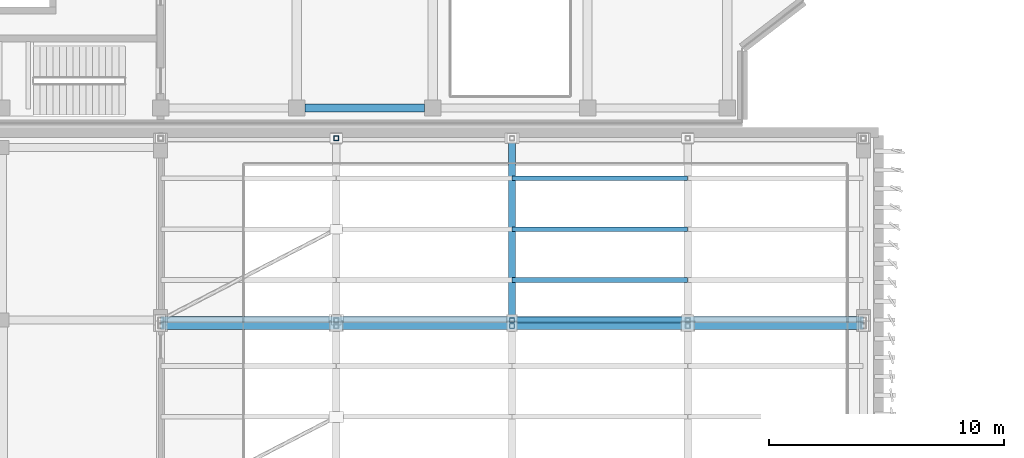
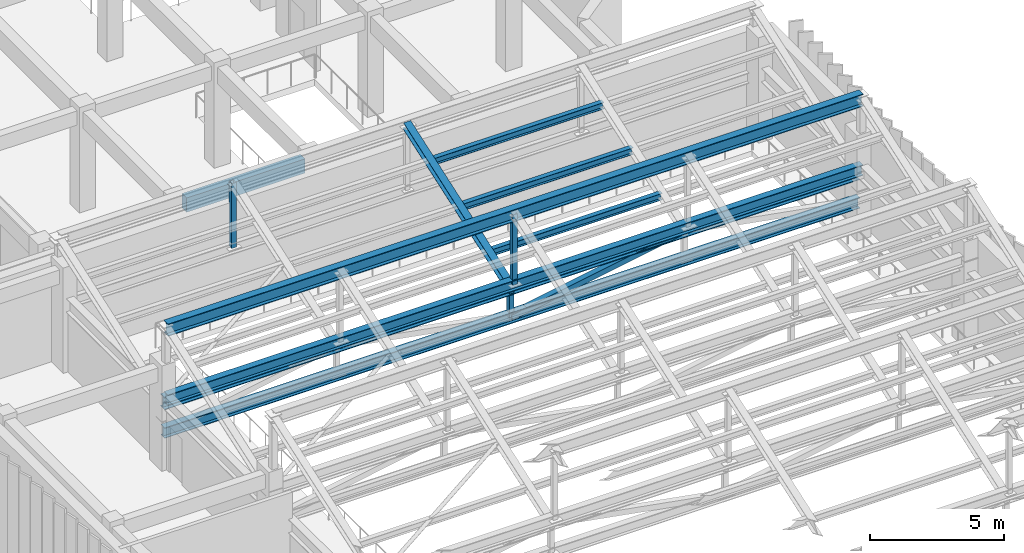
# One storey, part 13 of 76: 12 members, 1 beam.
"""IFC4 building model written with IfcOpenShell, lengths in metres."""

from ifc_helpers import new_model, si_unit, direction, frame, origin, origin_2d, place, context, subcontext, project, spatial, rectangle, hollow_rectangle, i_section, extrude, material, material_profile, profile_set, type_object, element, save


model = new_model("IFC4")

# Units and contexts
model_context = context("Model", 3, precision=1e-05, world=origin(), true_north=direction((0.0, 1.0)))
body_context = subcontext(model_context, "Body", "Model", "MODEL_VIEW")
ifc_project = project(units=[si_unit("LENGTHUNIT", "METRE"), si_unit("AREAUNIT", "SQUARE_METRE"), si_unit("VOLUMEUNIT", "CUBIC_METRE"), si_unit("PLANEANGLEUNIT", "RADIAN"), si_unit("MASSUNIT", "GRAM", prefix="KILO")], contexts=[model_context])

# Site, building, storey
site_placement = place(None, origin())
site = spatial("IfcSite", under=ifc_project, at=site_placement, CompositionType="ELEMENT")
building_placement = place(site_placement, origin())
building = spatial("IfcBuilding", under=site, at=building_placement, Name="Cinchona Park Media Centre", CompositionType="ELEMENT")
storey_placement = place(building_placement, frame((0.0, 0.0, 15.60009765625)))
storey = spatial("IfcBuildingStorey", under=building, at=storey_placement, Name="L03", CompositionType="ELEMENT", Elevation=15.60009765625)

# Beam
ifc_material_1 = material(Name="Concrete C35/45", Category="concrete")
ifc_material_profile_1 = material_profile(ifc_material_1, rectangle(XDim=0.35009765625, YDim=0.64990234375, at=origin_2d()), Name="RB 350X650")
ifc_profile_set_1 = profile_set([ifc_material_profile_1], Name="Concrete C35/45")
beam_type = type_object("IfcBeamType", Name="BEAM-B04-RB350X650", PredefinedType="BEAM", material=ifc_profile_set_1)
beam_placement = place(storey_placement, frame((21.550048828125, 64.639892578125, 4.224853515625), z_axis=(1.0, 0.0, 0.0), x_axis=(0.0, 1.0, 0.0)))
element("IfcBeam", 1, at=beam_placement, inside=storey, type_object=beam_type, Name="Beam B04 L03", PredefinedType="BEAM", context=body_context, shape_type="SweptSolid", body=[
    extrude(rectangle(XDim=0.35009765625, YDim=0.64990234375, at=origin_2d()), origin(), (0.0, 0.0, 1.0), 5.099853515625),
])

# Members
ifc_material_2 = material(Name="Steel S355", Category="steel")
ifc_material_profile_2 = material_profile(ifc_material_2, i_section(OverallWidth=0.202880859375, OverallDepth=0.302978515625, WebThickness=0.007568359375, FlangeThickness=0.01318359375, at=origin_2d()), Name="W310X60")
ifc_profile_set_2 = profile_set([ifc_material_profile_2], Name="Steel S355")
member_type_1 = type_object("IfcMemberType", Name="MEMBER-PR01-W310X60", PredefinedType="PURLIN", material=ifc_profile_set_2)
for number, where, z_axis, x_axis, name in (
    (2, (30.389892578125, 57.304931640625, 3.3125), (1.0, 0.0, 0.0), (0.0, 1.0, 0.0), "Sawtooth Roof Purlin PR01"),
    (3, (30.389892578125, 59.47509765625, 4.068359375), (1.0, 0.0, 0.0), (0.0, 1.0, 0.0), "Sawtooth Roof Purlin PR01"),
    (4, (30.389892578125, 61.64501953125, 4.824462890625), (1.0, 0.0, 0.0), (0.0, 1.0, 0.0), "Sawtooth Roof Purlin PR01"),
):
    element("IfcMember", number, at=place(storey_placement, frame(where, z_axis=z_axis, x_axis=x_axis)), inside=storey, type_object=member_type_1, Name=name, PredefinedType="PURLIN", context=body_context, shape_type="SweptSolid", body=[
        extrude(i_section(OverallWidth=0.202880859375, OverallDepth=0.302978515625, WebThickness=0.007568359375, FlangeThickness=0.01318359375, at=origin_2d()), origin(), (0.0, 0.0, 1.0), 7.47021484375),
    ])
ifc_material_3 = material(Name="Steel S355", Category="steel")
ifc_material_profile_3 = material_profile(ifc_material_3, i_section(OverallWidth=0.318115234375, OverallDepth=0.56005859375, WebThickness=0.018310546875, FlangeThickness=0.029296875, at=origin_2d()), Name="W530X219")
ifc_profile_set_3 = profile_set([ifc_material_profile_3], Name="Steel S355")
member_type_2 = type_object("IfcMemberType", Name="MEMBER-TC01-W530X219", PredefinedType="CHORD", material=ifc_profile_set_3)
for number, where, z_axis, x_axis, name in (
    (5, (15.39990234375, 55.35009765625, 6.2998046875), (1.0, 0.0, 0.0), (0.0, 1.0, 0.0), "ROOF TRUSS Ridge Chord V1 Bay 6"),
    (6, (15.39990234375, 55.60009765625, 2.7998046875), (1.0, 0.0, 0.0), (0.0, 1.0, 0.0), "ROOF TRUSS Top Chord V1 B7"),
):
    element("IfcMember", number, at=place(storey_placement, frame(where, z_axis=z_axis, x_axis=x_axis)), inside=storey, type_object=member_type_2, Name=name, PredefinedType="CHORD", context=body_context, shape_type="SweptSolid", body=[
        extrude(i_section(OverallWidth=0.318115234375, OverallDepth=0.56005859375, WebThickness=0.018310546875, FlangeThickness=0.029296875, at=origin_2d()), origin(), (0.0, 0.0, 1.0), 29.960205078125),
    ])
ifc_material_4 = material(Name="Steel S355", Category="steel")
ifc_material_profile_4 = material_profile(ifc_material_4, i_section(OverallWidth=0.285888671875, OverallDepth=0.48193359375, WebThickness=0.0166015625, FlangeThickness=0.02685546875, at=origin_2d()), Name="W460X177")
ifc_profile_set_4 = profile_set([ifc_material_profile_4], Name="Steel S355")
member_type_3 = type_object("IfcMemberType", Name="MEMBER-TC02-W460X177", PredefinedType="CHORD", material=ifc_profile_set_4)
for number, where, z_axis, x_axis, name in (
    (7, (15.39990234375, 55.35009765625, 3.099853515625), (1.0, 0.0, 0.0), (0.0, 1.0, 0.0), "ROOF TRUSS Monitor Sill Chord V1 Bay 6"),
    (8, (15.39990234375, 55.60009765625, 1.449951171875), (1.0, 0.0, 0.0), (0.0, 1.0, 0.0), "ROOF TRUSS Bottom Chord V1 B7"),
):
    element("IfcMember", number, at=place(storey_placement, frame(where, z_axis=z_axis, x_axis=x_axis)), inside=storey, type_object=member_type_3, Name=name, PredefinedType="CHORD", context=body_context, shape_type="SweptSolid", body=[
        extrude(i_section(OverallWidth=0.285888671875, OverallDepth=0.48193359375, WebThickness=0.0166015625, FlangeThickness=0.02685546875, at=origin_2d()), origin(), (0.0, 0.0, 1.0), 29.960205078125),
    ])
ifc_material_5 = material(Name="Steel S355", Category="steel")
ifc_material_profile_5 = material_profile(ifc_material_5, hollow_rectangle(XDim=0.199951171875, YDim=0.199951171875, WallThickness=0.012451171875, at=origin_2d()), Name="200X200X12.5SHS")
ifc_profile_set_5 = profile_set([ifc_material_profile_5], Name="Steel S355")
member_type_4 = type_object("IfcMemberType", Name="MEMBER-TS01-SHS200X200X12.5", PredefinedType="STRUT", material=ifc_profile_set_5)
member_1_placement = place(storey_placement, frame((30.3798828125, 55.35009765625, 3.099853515625), z_axis=(0.0, 0.0, 1.0), x_axis=(1.0, 0.0, 0.0)))
element("IfcMember", 9, at=member_1_placement, inside=storey, type_object=member_type_4, Name="ROOF TRUSS Monitor Post V1 Bay 6", PredefinedType="STRUT", context=body_context, shape_type="SweptSolid", body=[
    extrude(hollow_rectangle(XDim=0.199951171875, YDim=0.199951171875, WallThickness=0.012451171875, at=origin_2d()), origin(), (0.0, 0.0, 1.0), 3.199951171875),
])
member_2_placement = place(storey_placement, frame((30.3798828125, 55.60009765625, 1.449951171875), z_axis=(0.0, 0.0, 1.0), x_axis=(1.0, 0.0, 0.0)))
element("IfcMember", 10, at=member_2_placement, inside=storey, type_object=member_type_4, Name="ROOF TRUSS Vertical Strut TN2", PredefinedType="STRUT", context=body_context, shape_type="SweptSolid", body=[
    extrude(hollow_rectangle(XDim=0.199951171875, YDim=0.199951171875, WallThickness=0.012451171875, at=origin_2d()), origin(), (0.0, 0.0, 1.0), 1.349853515625),
])
member_3_placement = place(storey_placement, frame((22.889892578125, 63.35009765625, 2.5498046875), z_axis=(0.0, 0.0, 1.0), x_axis=(1.0, 0.0, 0.0)))
element("IfcMember", 11, at=member_3_placement, inside=storey, type_object=member_type_4, Name="ROOF TRUSS Monitor Post V1 Bay 7", PredefinedType="STRUT", context=body_context, shape_type="SweptSolid", body=[
    extrude(hollow_rectangle(XDim=0.199951171875, YDim=0.199951171875, WallThickness=0.012451171875, at=origin_2d()), origin(), (0.0, 0.0, 1.0), 2.9501953125),
])
ifc_material_6 = material(Name="Steel S355", Category="steel")
ifc_material_profile_6 = material_profile(ifc_material_6, hollow_rectangle(XDim=0.25, YDim=0.25, WallThickness=0.01611328125, at=origin_2d()), Name="250X250X16SHS")
ifc_profile_set_6 = profile_set([ifc_material_profile_6], Name="Steel S355")
member_type_5 = type_object("IfcMemberType", Name="MEMBER-TS02-SHS250X250X16", PredefinedType="STRUT", material=ifc_profile_set_6)
member_4_placement = place(storey_placement, frame((30.3798828125, 55.60009765625, 1.449951171875), z_axis=(0.984146390166, 0.0, 0.177358063599), x_axis=(0.0, 1.0, 0.0)))
element("IfcMember", 12, at=member_4_placement, inside=storey, type_object=member_type_5, Name="ROOF TRUSS Web Diagonal TN3", PredefinedType="STRUT", context=body_context, shape_type="SweptSolid", body=[
    extrude(hollow_rectangle(XDim=0.25, YDim=0.25, WallThickness=0.01611328125, at=origin_2d()), origin(), (0.0, 0.0, 1.0), 7.61083984375),
])
ifc_material_7 = material(Name="Steel S355", Category="steel")
ifc_material_profile_7 = material_profile(ifc_material_7, i_section(OverallWidth=0.304931640625, OverallDepth=0.30810546875, WebThickness=0.010009765625, FlangeThickness=0.015380859375, at=origin_2d()), Name="W310X97")
ifc_profile_set_7 = profile_set([ifc_material_profile_7], Name="Steel S355")
member_type_6 = type_object("IfcMemberType", Name="MEMBER-TS06-W310X97", PredefinedType="STRUT", material=ifc_profile_set_7)
member_5_placement = place(storey_placement, frame((30.3798828125, 55.60009765625, 2.7998046875), z_axis=(0.0, 0.944324900954, 0.329014409165), x_axis=(-1.0, 0.0, 0.0)))
element("IfcMember", 13, at=member_5_placement, inside=storey, type_object=member_type_6, Name="ROOF TRUSS Sawtooth Rafter V1 Bay 7", PredefinedType="STRUT", context=body_context, shape_type="SweptSolid", body=[
    extrude(i_section(OverallWidth=0.304931640625, OverallDepth=0.30810546875, WebThickness=0.010009765625, FlangeThickness=0.015380859375, at=origin_2d()), origin(), (0.0, 0.0, 1.0), 8.20703125),
])

save(model, "model.ifc")
